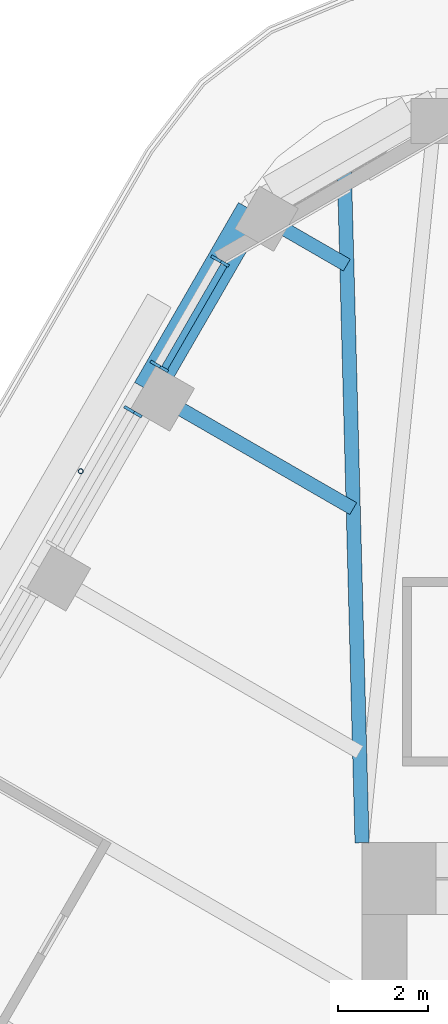
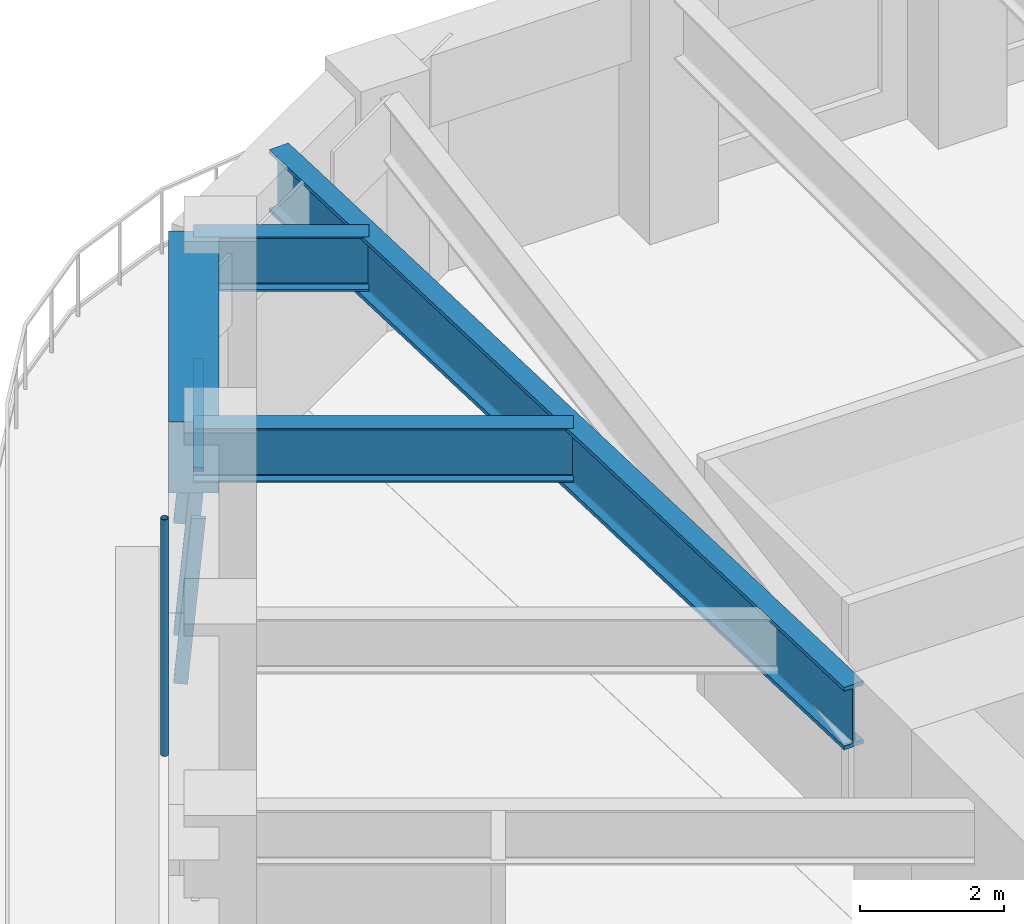
# One storey, part 8 of 20: 5 members, 4 beams, 2 elements without a shape of their own.
"""IFC4 building model written with IfcOpenShell, lengths in metres."""

import ifcopenshell
import ifcopenshell.guid

model = None  # the IFC model being written
_history = None  # IfcOwnerHistory: only IFC2X3 demands one
_inside = {}  # id of a spatial element -> (the spatial element, [elements in it])
_under = {}  # id of a project, library or spatial element -> (it, [spatial elements below it])
_declared = {}  # id of a project -> (the project, [libraries it declares])
_typed = {}  # id of a type object -> (the type object, [elements of that type])
_made_of = {}  # id of a material, layer set ... -> (it, [elements and type objects made of it])


def new_model(schema):
    """Start an empty IFC model of exactly this schema.

    Asked for "IFC4X3", IfcOpenShell would pick the latest addendum, in which some entities
    have other attributes; the version numbers below select the first issue.
    IFC2X3 requires an IfcOwnerHistory on every rooted entity: one is made here for all.
    """
    global model, _history
    if schema == "IFC4X3":
        model = ifcopenshell.file(schema_version=(4, 3, 0, 0))
    else:
        model = ifcopenshell.file(schema=schema)
    _inside.clear()
    _under.clear()
    _declared.clear()
    _typed.clear()
    _made_of.clear()
    _history = None
    if model.schema == "IFC2X3":
        org = make("IfcOrganization", Name="unknown")
        user = make(
            "IfcPersonAndOrganization",
            ThePerson=make("IfcPerson", FamilyName="unknown"),
            TheOrganization=org,
        )
        app = make(
            "IfcApplication",
            ApplicationDeveloper=org,
            Version="unknown",
            ApplicationFullName="unknown",
            ApplicationIdentifier="unknown",
        )
        _history = make(
            "IfcOwnerHistory",
            OwningUser=user,
            OwningApplication=app,
            ChangeAction="ADDED",
            CreationDate=0,
        )
    return model


def make(cls, **values):
    """One entity of the class cls with the attributes given. An attribute that is None is left unset."""
    return model.create_entity(
        cls, **{name: value for name, value in values.items() if value is not None}
    )


def rooted(cls, **values):
    """An entity with a GlobalId (a new one), such as an element, a storey or a relation."""
    return make(cls, GlobalId=ifcopenshell.guid.new(), OwnerHistory=_history, **values)


def si_unit(unit_type, name, prefix=None):
    """IfcSIUnit, for example si_unit("LENGTHUNIT", "METRE", prefix="MILLI")."""
    return make("IfcSIUnit", UnitType=unit_type, Prefix=prefix, Name=name)


def assignment(units):
    """IfcUnitAssignment: the units of a project."""
    return None if units is None else make("IfcUnitAssignment", Units=units)


def point(xyz):
    """IfcCartesianPoint."""
    return None if xyz is None else make("IfcCartesianPoint", Coordinates=xyz)


def direction(xyz):
    """IfcDirection."""
    return None if xyz is None else make("IfcDirection", DirectionRatios=xyz)


def frame(location, z_axis=None, x_axis=None):
    """IfcAxis2Placement3D, a coordinate frame: its origin and axes. An axis left out is left unset."""
    return make(
        "IfcAxis2Placement3D",
        Location=point(location),
        Axis=direction(z_axis),
        RefDirection=direction(x_axis),
    )


def frame_2d(location, x_axis=None):
    """IfcAxis2Placement2D, a coordinate frame in the plane: its origin and x axis."""
    return make(
        "IfcAxis2Placement2D", Location=point(location), RefDirection=direction(x_axis)
    )


def origin():
    """The frame at (0, 0, 0) with its axes left unset."""
    return frame((0.0, 0.0, 0.0))


def origin_2d():
    """The frame at (0, 0) in the plane with its x axis left unset."""
    return frame_2d((0.0, 0.0))


def place(relative_to, where):
    """IfcLocalPlacement: puts the frame where relative to a parent placement (None: the world)."""
    return make(
        "IfcLocalPlacement", PlacementRelTo=relative_to, RelativePlacement=where
    )


def context(
    kind, dimensions, precision=None, world=None, true_north=None, identifier=None
):
    """IfcGeometricRepresentationContext, for example the 3D "Model" context."""
    return make(
        "IfcGeometricRepresentationContext",
        ContextIdentifier=identifier,
        ContextType=kind,
        CoordinateSpaceDimension=dimensions,
        Precision=precision,
        WorldCoordinateSystem=world,
        TrueNorth=true_north,
    )


def subcontext(parent, identifier, kind, view, scale=None):
    """IfcGeometricRepresentationSubContext, for example "Body" below "Model"."""
    return make(
        "IfcGeometricRepresentationSubContext",
        ContextIdentifier=identifier,
        ContextType=kind,
        ParentContext=parent,
        TargetScale=scale,
        TargetView=view,
    )


def project(units=None, contexts=None):
    """IfcProject with its units and contexts."""
    return rooted(
        "IfcProject",
        Name="project",
        RepresentationContexts=contexts,
        UnitsInContext=assignment(units),
    )


def spatial(cls, under=None, at=None, **own):
    """A site, building, storey or space (cls), placed at a placement, below another one or the project."""
    s = rooted(cls, ObjectPlacement=at, **own)
    if under is not None:
        _under.setdefault(under.id(), (under, []))[1].append(s)
    return s


def profile(cls, at=None, kind="AREA", **sizes):
    """A parametric profile (cls). Its sizes go by their IFC names, for example OverallWidth=200.0."""
    return make(cls, ProfileType=kind, Position=at, **sizes)


def rectangle(**sizes):
    """IfcRectangleProfileDef."""
    return profile("IfcRectangleProfileDef", **sizes)


def hollow_circle(**sizes):
    """IfcCircleHollowProfileDef."""
    return profile("IfcCircleHollowProfileDef", **sizes)


def i_section(**sizes):
    """IfcIShapeProfileDef."""
    return profile("IfcIShapeProfileDef", **sizes)


def extrude(swept, where, along, depth):
    """IfcExtrudedAreaSolid: the profile swept, set in the frame where, extruded along a direction by depth."""
    return make(
        "IfcExtrudedAreaSolid",
        SweptArea=swept,
        Position=where,
        ExtrudedDirection=direction(along),
        Depth=depth,
    )


def shape(context_of_items, identifier, shape_type, items):
    """IfcShapeRepresentation: the items that make up one representation, for example the "Body"."""
    return make(
        "IfcShapeRepresentation",
        ContextOfItems=context_of_items,
        RepresentationIdentifier=identifier,
        RepresentationType=shape_type,
        Items=items,
    )


def material(Name=None, Category=None):
    """IfcMaterial."""
    return make("IfcMaterial", Name=Name, Category=Category)


def material_profile(
    of_material, cross_section, Name=None, Category=None, Priority=None
):
    """IfcMaterialProfile: a cross section and its material."""
    return make(
        "IfcMaterialProfile",
        Name=Name,
        Material=of_material,
        Profile=cross_section,
        Priority=Priority,
        Category=Category,
    )


def profile_set(profiles, Name=None, composite=None):
    """IfcMaterialProfileSet."""
    return make(
        "IfcMaterialProfileSet",
        Name=Name,
        MaterialProfiles=profiles,
        CompositeProfile=composite,
    )


def made_of(thing, what):
    """Note that an element or type object is made of a material, layer set ...; save() writes the relation."""
    if what is not None:
        _made_of.setdefault(what.id(), (what, []))[1].append(thing)
    return thing


def type_object(cls, material=None, **own):
    """A type object (cls), such as IfcWallType, which elements share."""
    return made_of(rooted(cls, **own), material)


def element(
    cls,
    number,
    at=None,
    inside=None,
    cuts=None,
    type_object=None,
    material=None,
    context=None,
    identifier="Body",
    shape_type=None,
    held_by="IfcProductDefinitionShape",
    body=None,
    shapes=None,
    **own,
):
    """One element of the class cls, such as IfcWall. Its Tag is "e" and its number.

    at: its placement. inside: the storey or other place that contains it. cuts: it is an
    opening in that element (IfcRelVoidsElement). A single representation is given by context,
    identifier, shape_type and body (its items); several are given by shapes. held_by: the class
    of the entity that holds the representations. save() writes the other relations.
    """
    e = rooted(cls, Tag="e%d" % number, ObjectPlacement=at, **own)
    if body is not None:
        shapes = [shape(context, identifier, shape_type, body)]
    if shapes is not None:
        e.Representation = make(held_by, Representations=shapes)
    if inside is not None:
        _inside.setdefault(inside.id(), (inside, []))[1].append(e)
    if cuts is not None:
        rooted(
            "IfcRelVoidsElement", RelatingBuildingElement=cuts, RelatedOpeningElement=e
        )
    if type_object is not None:
        _typed.setdefault(type_object.id(), (type_object, []))[1].append(e)
    return made_of(e, material)


def aggregate(whole, parts):
    """IfcRelAggregates: a whole, such as a stair, and the parts it consists of."""
    return rooted("IfcRelAggregates", RelatingObject=whole, RelatedObjects=parts)


def save(model, path):
    """Write the relations noted so far, then the file.

    IfcRelAggregates (storeys below a building ...), IfcRelContainedInSpatialStructure (elements
    in a storey), IfcRelDefinesByType, IfcRelAssociatesMaterial and IfcRelDeclares: one each for
    every whole, place, type object, material and project.
    """
    for whole, parts in _under.values():
        aggregate(whole, parts)
    for where, things in _inside.values():
        rooted(
            "IfcRelContainedInSpatialStructure",
            RelatedElements=things,
            RelatingStructure=where,
        )
    for kind, things in _typed.values():
        rooted("IfcRelDefinesByType", RelatedObjects=things, RelatingType=kind)
    for what, things in _made_of.values():
        rooted("IfcRelAssociatesMaterial", RelatedObjects=things, RelatingMaterial=what)
    for by, libraries in _declared.values():
        rooted("IfcRelDeclares", RelatingContext=by, RelatedDefinitions=libraries)
    model.write(path)


model = new_model("IFC4")

# Units and contexts
model_context = context("Model", 3, precision=1e-05, world=origin(), true_north=direction((0.0, 1.0)))
body_context = subcontext(model_context, "Body", "Model", "MODEL_VIEW")
ifc_project = project(units=[si_unit("LENGTHUNIT", "METRE"), si_unit("AREAUNIT", "SQUARE_METRE"), si_unit("VOLUMEUNIT", "CUBIC_METRE"), si_unit("PLANEANGLEUNIT", "RADIAN"), si_unit("MASSUNIT", "GRAM", prefix="KILO")], contexts=[model_context])

# Site, building, storey
site_placement = place(None, origin())
site = spatial("IfcSite", under=ifc_project, at=site_placement, CompositionType="ELEMENT")
building_placement = place(site_placement, origin())
building = spatial("IfcBuilding", under=site, at=building_placement, Name="Tarfa Lantern Tower", CompositionType="ELEMENT")
storey_placement = place(building_placement, frame((0.0, 0.0, 286.89990234375)))
storey = spatial("IfcBuildingStorey", under=building, at=storey_placement, Name="L65", CompositionType="ELEMENT", Elevation=286.89990234375)

# Curtain wall, members
ifc_material_1 = material(Name="Aluminium framed curtain wall", Category="aluminium")
curtain_wall_type = type_object("IfcCurtainWallType", Name="CW3 CANTED GLAZING HIGH ZONE 2800", PredefinedType="USERDEFINED", material=ifc_material_1)
curtain_wall_1_placement = place(storey_placement, origin())
curtain_wall_1 = element("IfcCurtainWall", 1, at=curtain_wall_1_placement, inside=storey, type_object=curtain_wall_type, Name="CW3 NW L65", ObjectType="CURTAIN WALL", PredefinedType="USERDEFINED")
ifc_material_2 = material(Name="Aluminium mullion", Category="aluminium")
ifc_material_profile_1 = material_profile(ifc_material_2, rectangle(XDim=0.06494140625, YDim=0.199951171875, at=origin_2d()), Name="AL MULLION 65x200")
ifc_profile_set_1 = profile_set([ifc_material_profile_1], Name="Aluminium mullion")
member_type_1 = type_object("IfcMemberType", Name="CWM1 MULLION 65x200", PredefinedType="MULLION", material=ifc_profile_set_1)
member_1_placement = place(storey_placement, frame((-18.76611328125, 25.296142578125, 0.0), z_axis=(0.077032386753, -0.044465143199, 0.996036576854), x_axis=(0.499919672301, 0.866071776036, 0.0)))
member_1 = element("IfcMember", 2, at=member_1_placement, type_object=member_type_1, Name="CW3 mullion 1", PredefinedType="MULLION", context=body_context, shape_type="SweptSolid", body=[
    extrude(rectangle(XDim=0.06494140625, YDim=0.199951171875, at=origin_2d()), origin(), (0.0, 0.0, 1.0), 2.811279296875),
])
member_2_placement = place(storey_placement, frame((-20.1181640625, 22.954345703125, 0.0), z_axis=(0.077032386753, -0.044465143199, 0.996036576854), x_axis=(0.499919672301, 0.866071776036, 0.0)))
member_2 = element("IfcMember", 3, at=member_2_placement, type_object=member_type_1, Name="CW3 mullion 2", PredefinedType="MULLION", context=body_context, shape_type="SweptSolid", body=[
    extrude(rectangle(XDim=0.06494140625, YDim=0.199951171875, at=origin_2d()), origin(), (0.0, 0.0, 1.0), 2.811279296875),
])

# Curtain wall, member
curtain_wall_2_placement = place(storey_placement, origin())
curtain_wall_2 = element("IfcCurtainWall", 4, at=curtain_wall_2_placement, inside=storey, type_object=curtain_wall_type, Name="CW3 NW L65", ObjectType="CURTAIN WALL", PredefinedType="USERDEFINED")
member_3_placement = place(storey_placement, frame((-20.70068359375, 21.945556640625, 0.0), z_axis=(0.077032386753, -0.044465143199, 0.996036576854), x_axis=(0.499919672301, 0.866071776036, 0.0)))
member_3 = element("IfcMember", 5, at=member_3_placement, type_object=member_type_1, Name="CW3 mullion 1", PredefinedType="MULLION", context=body_context, shape_type="SweptSolid", body=[
    extrude(rectangle(XDim=0.06494140625, YDim=0.199951171875, at=origin_2d()), origin(), (0.0, 0.0, 1.0), 2.811279296875),
])
aggregate(curtain_wall_2, [member_3])

# Member
ifc_material_3 = material(Name="Aluminium transom", Category="aluminium")
ifc_material_profile_2 = material_profile(ifc_material_3, rectangle(XDim=0.14990234375, YDim=0.06494140625, at=origin_2d()), Name="AL TRANSOM 150x65")
ifc_profile_set_2 = profile_set([ifc_material_profile_2], Name="Aluminium transom")
member_type_2 = type_object("IfcMemberType", Name="CWT1 TRANSOM 150x65", PredefinedType="USERDEFINED", material=ifc_profile_set_2)
member_4_placement = place(storey_placement, frame((-18.568359375, 25.144287109375, 2.767578125), z_axis=(-0.50006949096, -0.865985279442, 0.0), x_axis=(0.865985279442, -0.50006949096, 0.0)))
member_4 = element("IfcMember", 6, at=member_4_placement, type_object=member_type_2, Name="CW3 transom 1.2", ObjectType="TRANSOM", PredefinedType="USERDEFINED", context=body_context, shape_type="SweptSolid", body=[
    extrude(rectangle(XDim=0.14990234375, YDim=0.06494140625, at=origin_2d()), origin(), (0.0, 0.0, 1.0), 2.638671875),
])

aggregate(curtain_wall_1, [member_1, member_2, member_4])

# Beam
ifc_material_4 = material(Name="Concrete C80/95", Category="concrete")
ifc_material_profile_3 = material_profile(ifc_material_4, rectangle(XDim=0.699951171875, YDim=1.199951171875, at=origin_2d()), Name="RC 700x1200")
ifc_profile_set_3 = profile_set([ifc_material_profile_3], Name="Concrete C80/95")
beam_type_1 = type_object("IfcBeamType", Name="EB3 RC 700x1200", PredefinedType="SPANDREL", material=ifc_profile_set_3)
beam_1_placement = place(storey_placement, frame((-17.944091796875, 26.360107421875, 3.400146484375), z_axis=(-0.499987836815, -0.866032426089, 0.0), x_axis=(0.866032426089, -0.499987836815, 0.0)))
element("IfcBeam", 7, at=beam_1_placement, inside=storey, type_object=beam_type_1, Name="Edge beam NW0", PredefinedType="SPANDREL", context=body_context, shape_type="SweptSolid", body=[
    extrude(rectangle(XDim=0.699951171875, YDim=1.199951171875, at=origin_2d()), origin(), (0.0, 0.0, 1.0), 4.61865234375),
])

# Member
ifc_material_5 = material(Name="Steel S355", Category="steel")
ifc_material_profile_4 = material_profile(ifc_material_5, hollow_circle(Radius=0.05712890625, WallThickness=0.00634765625, at=origin_2d()), Name="CHS114.3x6.3")
ifc_profile_set_4 = profile_set([ifc_material_profile_4], Name="Steel S355")
member_type_3 = type_object("IfcMemberType", Name="TR1 GREEN WALL TRELLIS CHS114.3x6.3", PredefinedType="USERDEFINED", material=ifc_profile_set_4)
member_5_placement = place(storey_placement, frame((-21.754638671875, 20.56005859375, 0.0), z_axis=(0.0, 0.0, 1.0), x_axis=(1.0, 0.0, 0.0)))
element("IfcMember", 8, at=member_5_placement, inside=storey, type_object=member_type_3, Name="Trellis post NW 1", ObjectType="TRELLIS", PredefinedType="USERDEFINED", context=body_context, shape_type="SweptSolid", body=[
    extrude(hollow_circle(Radius=0.05712890625, WallThickness=0.00634765625, at=origin_2d()), origin(), (0.0, 0.0, 1.0), 4.0),
])

# Beams
ifc_material_6 = material(Name="Steel S460M", Category="steel")
ifc_material_profile_5 = material_profile(ifc_material_6, i_section(OverallWidth=0.314208984375, OverallDepth=1.055908203125, WebThickness=0.035888671875, FlangeThickness=0.06396484375, FilletRadius=0.030029296875, at=origin_2d()), Name="UB1016x305x584")
ifc_profile_set_5 = profile_set([ifc_material_profile_5], Name="Steel S460M")
beam_type_2 = type_object("IfcBeamType", Name="UB1016x305x584", PredefinedType="BEAM", material=ifc_profile_set_5)
beam_2_placement = place(storey_placement, frame((-15.5, 12.300048828125, 3.47216796875), z_axis=(-0.026247301989, 0.999655480222, 0.0), x_axis=(-0.999655480222, -0.026247301989, 0.0)))
element("IfcBeam", 9, at=beam_2_placement, inside=storey, type_object=beam_type_2, Name="Hip girder NW", PredefinedType="BEAM", context=body_context, shape_type="SweptSolid", body=[
    extrude(i_section(OverallWidth=0.314208984375, OverallDepth=1.055908203125, WebThickness=0.035888671875, FlangeThickness=0.06396484375, FilletRadius=0.030029296875, at=origin_2d()), origin(), (0.0, 0.0, 1.0), 15.245361328125),
])
ifc_material_profile_6 = material_profile(ifc_material_6, i_section(OverallWidth=0.305419921875, OverallDepth=0.91845703125, WebThickness=0.017333984375, FlangeThickness=0.02783203125, FilletRadius=0.01904296875, at=origin_2d()), Name="UB914x305x253")
ifc_profile_set_6 = profile_set([ifc_material_profile_6], Name="Steel S460M")
beam_type_3 = type_object("IfcBeamType", Name="UB914x305x253", PredefinedType="BEAM", material=ifc_profile_set_6)
beam_3_placement = place(storey_placement, frame((-17.944091796875, 26.360107421875, 3.541015625), z_axis=(0.865980009423, -0.5000786171, 0.0), x_axis=(0.5000786171, 0.865980009423, 0.0)))
element("IfcBeam", 10, at=beam_3_placement, inside=storey, type_object=beam_type_3, Name="Floor beam NW0", PredefinedType="BEAM", context=body_context, shape_type="SweptSolid", body=[
    extrude(i_section(OverallWidth=0.305419921875, OverallDepth=0.91845703125, WebThickness=0.017333984375, FlangeThickness=0.02783203125, FilletRadius=0.01904296875, at=origin_2d()), origin(), (0.0, 0.0, 1.0), 2.4326171875),
])
beam_4_placement = place(storey_placement, frame((-20.25341796875, 22.360107421875, 3.541015625), z_axis=(0.86601951648, -0.500010196972, 0.0), x_axis=(0.500010196972, 0.86601951648, 0.0)))
element("IfcBeam", 11, at=beam_4_placement, inside=storey, type_object=beam_type_3, Name="Floor beam NW1", PredefinedType="BEAM", context=body_context, shape_type="SweptSolid", body=[
    extrude(i_section(OverallWidth=0.305419921875, OverallDepth=0.91845703125, WebThickness=0.017333984375, FlangeThickness=0.02783203125, FilletRadius=0.01904296875, at=origin_2d()), origin(), (0.0, 0.0, 1.0), 5.263671875),
])

save(model, "model.ifc")
